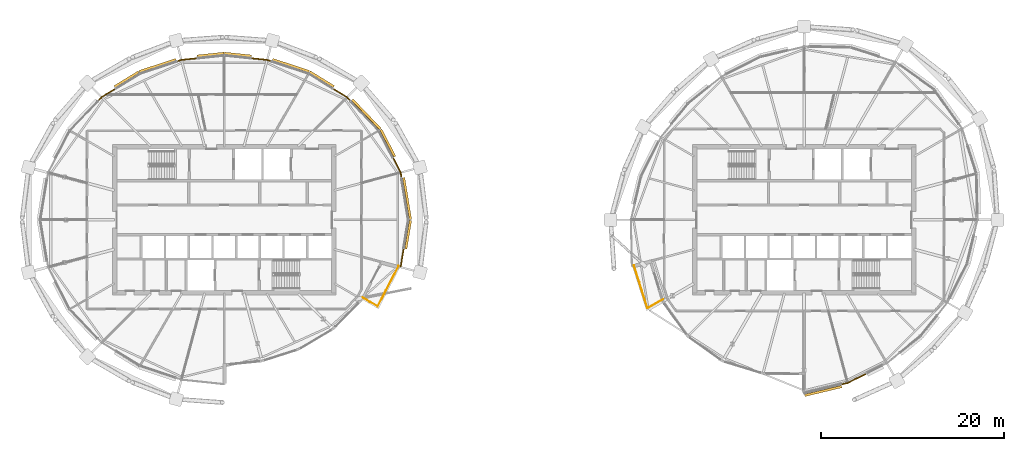
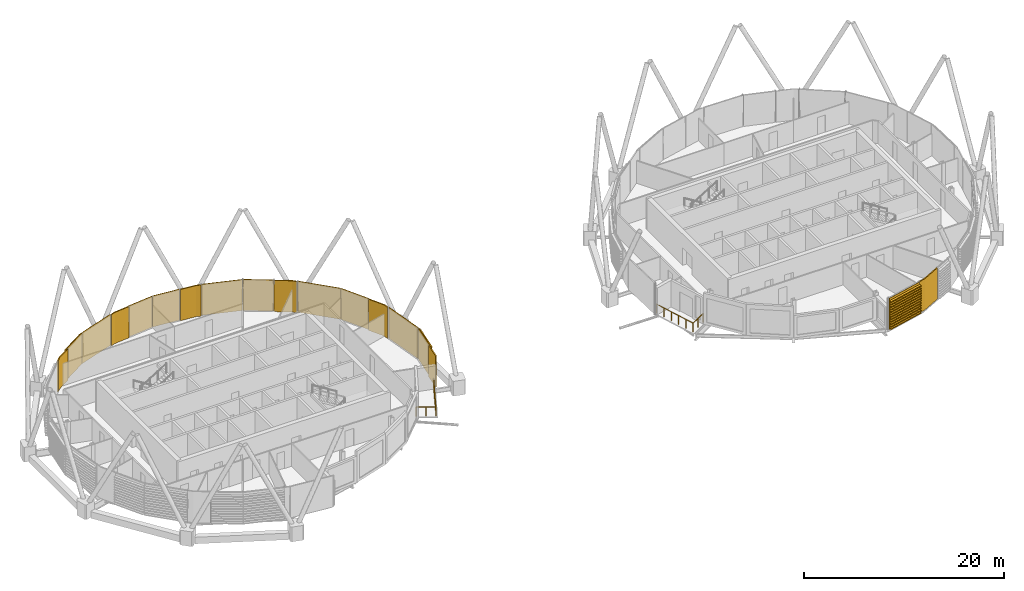
# One storey, part 28 of 31: 18 coverings, 2 railings.
"""IFC4 building model written with IfcOpenShell, lengths in metres."""

from ifc_helpers import new_model, si_unit, direction, frame, origin, origin_2d, place, context, subcontext, project, spatial, polyline, circle, outline, extrude, material, layer, layer_set, material_profile, profile_set, type_object, element, save


model = new_model("IFC4")

# Units and contexts
model_context = context("Model", 3, precision=1e-05, world=origin(), true_north=direction((0.0, 1.0)))
body_context = subcontext(model_context, "Body", "Model", "MODEL_VIEW")
ifc_project = project(units=[si_unit("LENGTHUNIT", "METRE"), si_unit("AREAUNIT", "SQUARE_METRE"), si_unit("VOLUMEUNIT", "CUBIC_METRE"), si_unit("PLANEANGLEUNIT", "RADIAN"), si_unit("MASSUNIT", "GRAM", prefix="KILO")], contexts=[model_context])

# Site, building, storey
site_placement = place(None, origin())
site = spatial("IfcSite", under=ifc_project, at=site_placement, CompositionType="ELEMENT")
building_placement = place(site_placement, origin())
building = spatial("IfcBuilding", under=site, at=building_placement, Name="Rimbun Link Towers", CompositionType="ELEMENT")
storey_placement = place(building_placement, frame((0.0, 0.0, 244.699951171875)))
storey = spatial("IfcBuildingStorey", under=building, at=storey_placement, Name="L60", CompositionType="ELEMENT", Elevation=244.699951171875)

# Railings
ifc_material_1 = material(Name="Stainless steel grade 316", Category="steel")
railing_type = type_object("IfcRailingType", Name="GUARD stainless rail and posts", PredefinedType="GUARDRAIL", material=ifc_material_1)
railing_1_placement = place(storey_placement, frame((-16.670166015625, -8.475341796875, 0.0)))
element("IfcRailing", 1, at=railing_1_placement, inside=storey, type_object=railing_type, Name="GUARD", PredefinedType="GUARDRAIL", context=body_context, shape_type="SweptSolid", body=[
    extrude(circle(Radius=0.02392578125, at=origin_2d()), frame((0.0, 0.0, 1.076171875), z_axis=(0.866007891078, -0.50003033167, 0.0), x_axis=(0.50003033167, 0.866007891078, 0.0)), (0.0, 0.0, 1.0), 1.99072265625),
    extrude(circle(Radius=0.02392578125, at=origin_2d()), frame((1.723876953125, -0.995361328125, 1.076171875), z_axis=(0.459563613105, 0.888144856152, 0.0), x_axis=(-0.888144856152, 0.459563613105, 0.0)), (0.0, 0.0, 1.0), 4.95654296875),
    extrude(circle(Radius=0.02099609375, at=origin_2d()), origin(), (0.0, 0.0, 1.0), 1.052001953125),
    extrude(circle(Radius=0.02099609375, at=origin_2d()), frame((0.86181640625, -0.49755859375, 0.0)), (0.0, 0.0, 1.0), 1.052001953125),
    extrude(circle(Radius=0.02099609375, at=origin_2d()), frame((1.723876953125, -0.995361328125, 0.0)), (0.0, 0.0, 1.0), 1.052001953125),
    extrude(circle(Radius=0.02099609375, at=origin_2d()), frame((2.179443359375, -0.114990234375, 0.0)), (0.0, 0.0, 1.0), 1.052001953125),
    extrude(circle(Radius=0.02099609375, at=origin_2d()), frame((2.635009765625, 0.765380859375, 0.0)), (0.0, 0.0, 1.0), 1.052001953125),
    extrude(circle(Radius=0.02099609375, at=origin_2d()), frame((3.090576171875, 1.64599609375, 0.0)), (0.0, 0.0, 1.0), 1.052001953125),
    extrude(circle(Radius=0.02099609375, at=origin_2d()), frame((3.546142578125, 2.5263671875, 0.0)), (0.0, 0.0, 1.0), 1.052001953125),
    extrude(circle(Radius=0.02099609375, at=origin_2d()), frame((4.001708984375, 3.40673828125, 0.0)), (0.0, 0.0, 1.0), 1.052001953125),
])
railing_2_placement = place(storey_placement, frame((13.107666015625, -4.985595703125, 0.0)))
element("IfcRailing", 2, at=railing_2_placement, inside=storey, type_object=railing_type, Name="GUARD", PredefinedType="GUARDRAIL", context=body_context, shape_type="SweptSolid", body=[
    extrude(circle(Radius=0.02392578125, at=origin_2d()), frame((0.0, 0.0, 1.076171875), z_axis=(0.303045862918, -0.952975972923, 0.0), x_axis=(0.952975972923, 0.303045862918, 0.0)), (0.0, 0.0, 1.0), 4.91748046875),
    extrude(circle(Radius=0.02392578125, at=origin_2d()), frame((1.490234375, -4.686279296875, 1.076171875), z_axis=(0.866025182435, 0.500000383388, 0.0), x_axis=(-0.500000383388, 0.866025182435, 0.0)), (0.0, 0.0, 1.0), 1.95166015625),
    extrude(circle(Radius=0.02099609375, at=origin_2d()), origin(), (0.0, 0.0, 1.0), 1.052001953125),
    extrude(circle(Radius=0.02099609375, at=origin_2d()), frame((0.298095703125, -0.937255859375, 0.0)), (0.0, 0.0, 1.0), 1.052001953125),
    extrude(circle(Radius=0.02099609375, at=origin_2d()), frame((0.59619140625, -1.87451171875, 0.0)), (0.0, 0.0, 1.0), 1.052001953125),
    extrude(circle(Radius=0.02099609375, at=origin_2d()), frame((0.89404296875, -2.811767578125, 0.0)), (0.0, 0.0, 1.0), 1.052001953125),
    extrude(circle(Radius=0.02099609375, at=origin_2d()), frame((1.192138671875, -3.7490234375, 0.0)), (0.0, 0.0, 1.0), 1.052001953125),
    extrude(circle(Radius=0.02099609375, at=origin_2d()), frame((1.490234375, -4.686279296875, 0.0)), (0.0, 0.0, 1.0), 1.052001953125),
    extrude(circle(Radius=0.02099609375, at=origin_2d()), frame((2.33544921875, -4.1982421875, 0.0)), (0.0, 0.0, 1.0), 1.052001953125),
    extrude(circle(Radius=0.02099609375, at=origin_2d()), frame((3.180419921875, -3.71044921875, 0.0)), (0.0, 0.0, 1.0), 1.052001953125),
])

# Coverings
ifc_material_2 = material(Name="Terracotta", Category="masonry")
ifc_layer = layer(ifc_material_2, 0.1201171875)
ifc_layer_set = layer_set([ifc_layer], Name="LINK PIER terracotta cladding 120")
covering_type_1 = type_object("IfcCoveringType", Name="LINK PIER terracotta cladding 120", PredefinedType="CLADDING", material=ifc_layer_set)
covering_1_placement = place(storey_placement, origin())
element("IfcCovering", 3, at=covering_1_placement, inside=storey, type_object=covering_type_1, Name="LINK PIER cladding", PredefinedType="CLADDING", context=body_context, shape_type="SweptSolid", body=[
    extrude(outline(polyline([(-13.327392578125, 6.77685546875), (-12.490966796875, 5.160400390625), (-12.3984375, 4.59814453125), (-12.280029296875, 4.617431640625), (-12.37548828125, 5.19873046875), (-13.220703125, 6.83203125), (-13.327392578125, 6.77685546875)])), origin(), (0.0, 0.0, 1.0), 3.800048828125),
])
covering_2_placement = place(storey_placement, origin())
element("IfcCovering", 4, at=covering_2_placement, inside=storey, type_object=covering_type_1, Name="LINK PIER cladding", PredefinedType="CLADDING", context=body_context, shape_type="SweptSolid", body=[
    extrude(outline(polyline([(-19.8662109375, 14.318115234375), (-18.35791015625, 13.39208984375), (-17.96337890625, 12.980712890625), (-17.876708984375, 13.063720703125), (-18.281982421875, 13.486328125), (-19.803466796875, 14.42041015625), (-19.8662109375, 14.318115234375)])), origin(), (0.0, 0.0, 1.0), 3.800048828125),
])
covering_3_placement = place(storey_placement, origin())
element("IfcCovering", 5, at=covering_3_placement, inside=storey, type_object=covering_type_1, Name="LINK PIER cladding", PredefinedType="CLADDING", context=body_context, shape_type="SweptSolid", body=[
    extrude(outline(polyline([(-28.781982421875, 17.640625), (-27.071533203125, 17.460693359375), (-26.577880859375, 17.297119140625), (-26.5400390625, 17.410888671875), (-27.046142578125, 17.57861328125), (-28.76953125, 17.760009765625), (-28.781982421875, 17.640625)])), origin(), (0.0, 0.0, 1.0), 3.800048828125),
])
covering_4_placement = place(storey_placement, origin())
element("IfcCovering", 6, at=covering_4_placement, inside=storey, type_object=covering_type_1, Name="LINK PIER cladding", PredefinedType="CLADDING", context=body_context, shape_type="SweptSolid", body=[
    extrude(outline(polyline([(-36.922119140625, 17.297119140625), (-36.428466796875, 17.460693359375), (-34.718017578125, 17.640625), (-34.73046875, 17.760009765625), (-36.453857421875, 17.57861328125), (-36.9599609375, 17.410888671875), (-36.922119140625, 17.297119140625)])), origin(), (0.0, 0.0, 1.0), 3.800048828125),
])
covering_5_placement = place(storey_placement, origin())
element("IfcCovering", 7, at=covering_5_placement, inside=storey, type_object=covering_type_1, Name="LINK PIER cladding", PredefinedType="CLADDING", context=body_context, shape_type="SweptSolid", body=[
    extrude(outline(polyline([(-45.53662109375, 12.980712890625), (-45.14208984375, 13.39208984375), (-43.6337890625, 14.318115234375), (-43.696533203125, 14.42041015625), (-45.218017578125, 13.486328125), (-45.623291015625, 13.063720703125), (-45.53662109375, 12.980712890625)])), origin(), (0.0, 0.0, 1.0), 3.800048828125),
])
covering_6_placement = place(storey_placement, origin())
element("IfcCovering", 8, at=covering_6_placement, inside=storey, type_object=covering_type_1, Name="LINK PIER cladding", PredefinedType="CLADDING", context=body_context, shape_type="SweptSolid", body=[
    extrude(outline(polyline([(-12.1630859375, -3.167236328125), (-12.486083984375, -5.130859375), (-12.36767578125, -5.150390625), (-12.044677734375, -3.186767578125), (-12.1630859375, -3.167236328125)])), origin(), (0.0, 0.0, 1.0), 3.800048828125),
])
covering_7_placement = place(storey_placement, origin())
element("IfcCovering", 9, at=covering_7_placement, inside=storey, type_object=covering_type_1, Name="LINK PIER cladding", PredefinedType="CLADDING", context=body_context, shape_type="SweptSolid", body=[
    extrude(outline(polyline([(38.547607421875, -16.77978515625), (36.51904296875, -17.798583984375), (35.81884765625, -17.966064453125), (35.8466796875, -18.082763671875), (36.560546875, -17.912109375), (38.6015625, -16.88720703125), (38.547607421875, -16.77978515625)])), origin(), (0.0, 0.0, 1.0), 3.800048828125),
])
ifc_material_3 = material(Name="Terracotta", Category="masonry")
ifc_material_profile = material_profile(ifc_material_3, outline(polyline([(0.123046875, 0.0), (0.1630859375, 0.0), (0.1630859375, 0.10009765625), (0.423095703125, 0.10009765625), (0.423095703125, 0.219970703125), (0.1630859375, 0.219970703125), (0.1630859375, 0.39990234375), (0.423095703125, 0.39990234375), (0.423095703125, 0.52001953125), (0.1630859375, 0.52001953125), (0.1630859375, 0.699951171875), (0.423095703125, 0.699951171875), (0.423095703125, 0.820068359375), (0.1630859375, 0.820068359375), (0.1630859375, 1.0), (0.423095703125, 1.0), (0.423095703125, 1.1201171875), (0.1630859375, 1.1201171875), (0.1630859375, 1.300048828125), (0.423095703125, 1.300048828125), (0.423095703125, 1.419921875), (0.1630859375, 1.419921875), (0.1630859375, 1.60009765625), (0.423095703125, 1.60009765625), (0.423095703125, 1.719970703125), (0.1630859375, 1.719970703125), (0.1630859375, 1.89990234375), (0.423095703125, 1.89990234375), (0.423095703125, 2.02001953125), (0.1630859375, 2.02001953125), (0.1630859375, 2.199951171875), (0.423095703125, 2.199951171875), (0.423095703125, 2.320068359375), (0.1630859375, 2.320068359375), (0.1630859375, 2.5), (0.423095703125, 2.5), (0.423095703125, 2.6201171875), (0.1630859375, 2.6201171875), (0.1630859375, 2.800048828125), (0.423095703125, 2.800048828125), (0.423095703125, 2.919921875), (0.1630859375, 2.919921875), (0.1630859375, 3.10009765625), (0.423095703125, 3.10009765625), (0.423095703125, 3.219970703125), (0.1630859375, 3.219970703125), (0.1630859375, 3.39990234375), (0.423095703125, 3.39990234375), (0.423095703125, 3.52001953125), (0.1630859375, 3.52001953125), (0.1630859375, 3.800048828125), (0.123046875, 3.800048828125), (0.123046875, 0.0)])), Name="BAGUETTE 120X300")
ifc_profile_set = profile_set([ifc_material_profile], Name="Terracotta")
covering_type_2 = type_object("IfcCoveringType", Name="TERRACOTTA BAGUETTE 120X300 H3800", PredefinedType="CLADDING", material=ifc_profile_set)
covering_8_placement = place(storey_placement, frame((-12.3935546875, 4.568359375, 0.0), z_axis=(0.162260759492, -0.986747914074, 0.0), x_axis=(0.986747914074, 0.162260759492, 0.0)))
element("IfcCovering", 10, at=covering_8_placement, inside=storey, type_object=covering_type_2, Name="TERRACOTTA BAGUETTE", PredefinedType="CLADDING", context=body_context, shape_type="SweptSolid", body=[
    extrude(outline(polyline([(0.123046875, 0.0), (0.1630859375, 0.0), (0.1630859375, 0.10009765625), (0.423095703125, 0.10009765625), (0.423095703125, 0.219970703125), (0.1630859375, 0.219970703125), (0.1630859375, 0.39990234375), (0.423095703125, 0.39990234375), (0.423095703125, 0.52001953125), (0.1630859375, 0.52001953125), (0.1630859375, 0.699951171875), (0.423095703125, 0.699951171875), (0.423095703125, 0.820068359375), (0.1630859375, 0.820068359375), (0.1630859375, 1.0), (0.423095703125, 1.0), (0.423095703125, 1.1201171875), (0.1630859375, 1.1201171875), (0.1630859375, 1.300048828125), (0.423095703125, 1.300048828125), (0.423095703125, 1.419921875), (0.1630859375, 1.419921875), (0.1630859375, 1.60009765625), (0.423095703125, 1.60009765625), (0.423095703125, 1.719970703125), (0.1630859375, 1.719970703125), (0.1630859375, 1.89990234375), (0.423095703125, 1.89990234375), (0.423095703125, 2.02001953125), (0.1630859375, 2.02001953125), (0.1630859375, 2.199951171875), (0.423095703125, 2.199951171875), (0.423095703125, 2.320068359375), (0.1630859375, 2.320068359375), (0.1630859375, 2.5), (0.423095703125, 2.5), (0.423095703125, 2.6201171875), (0.1630859375, 2.6201171875), (0.1630859375, 2.800048828125), (0.423095703125, 2.800048828125), (0.423095703125, 2.919921875), (0.1630859375, 2.919921875), (0.1630859375, 3.10009765625), (0.423095703125, 3.10009765625), (0.423095703125, 3.219970703125), (0.1630859375, 3.219970703125), (0.1630859375, 3.39990234375), (0.423095703125, 3.39990234375), (0.423095703125, 3.52001953125), (0.1630859375, 3.52001953125), (0.1630859375, 3.800048828125), (0.123046875, 3.800048828125), (0.123046875, 0.0)])), origin(), (0.0, 0.0, 1.0), 4.629638671875),
])
covering_9_placement = place(storey_placement, frame((-14.864990234375, 9.74853515625, 0.0), z_axis=(0.459569127247, -0.888142002881, 0.0), x_axis=(0.888142002881, 0.459569127247, 0.0)))
element("IfcCovering", 11, at=covering_9_placement, inside=storey, type_object=covering_type_2, Name="TERRACOTTA BAGUETTE", PredefinedType="CLADDING", context=body_context, shape_type="SweptSolid", body=[
    extrude(outline(polyline([(0.123046875, 0.0), (0.1630859375, 0.0), (0.1630859375, 0.10009765625), (0.423095703125, 0.10009765625), (0.423095703125, 0.219970703125), (0.1630859375, 0.219970703125), (0.1630859375, 0.39990234375), (0.423095703125, 0.39990234375), (0.423095703125, 0.52001953125), (0.1630859375, 0.52001953125), (0.1630859375, 0.699951171875), (0.423095703125, 0.699951171875), (0.423095703125, 0.820068359375), (0.1630859375, 0.820068359375), (0.1630859375, 1.0), (0.423095703125, 1.0), (0.423095703125, 1.1201171875), (0.1630859375, 1.1201171875), (0.1630859375, 1.300048828125), (0.423095703125, 1.300048828125), (0.423095703125, 1.419921875), (0.1630859375, 1.419921875), (0.1630859375, 1.60009765625), (0.423095703125, 1.60009765625), (0.423095703125, 1.719970703125), (0.1630859375, 1.719970703125), (0.1630859375, 1.89990234375), (0.423095703125, 1.89990234375), (0.423095703125, 2.02001953125), (0.1630859375, 2.02001953125), (0.1630859375, 2.199951171875), (0.423095703125, 2.199951171875), (0.423095703125, 2.320068359375), (0.1630859375, 2.320068359375), (0.1630859375, 2.5), (0.423095703125, 2.5), (0.423095703125, 2.6201171875), (0.1630859375, 2.6201171875), (0.1630859375, 2.800048828125), (0.423095703125, 2.800048828125), (0.423095703125, 2.919921875), (0.1630859375, 2.919921875), (0.1630859375, 3.10009765625), (0.423095703125, 3.10009765625), (0.423095703125, 3.219970703125), (0.1630859375, 3.219970703125), (0.1630859375, 3.39990234375), (0.423095703125, 3.39990234375), (0.423095703125, 3.52001953125), (0.1630859375, 3.52001953125), (0.1630859375, 3.800048828125), (0.123046875, 3.800048828125), (0.123046875, 0.0)])), origin(), (0.0, 0.0, 1.0), 3.31591796875),
])
covering_10_placement = place(storey_placement, frame((-17.942626953125, 12.958984375, 0.0), z_axis=(0.692017431912, -0.721880789279, 0.0), x_axis=(0.721880789279, 0.692017431912, 0.0)))
element("IfcCovering", 12, at=covering_10_placement, inside=storey, type_object=covering_type_2, Name="TERRACOTTA BAGUETTE", PredefinedType="CLADDING", context=body_context, shape_type="SweptSolid", body=[
    extrude(outline(polyline([(0.123046875, 0.0), (0.1630859375, 0.0), (0.1630859375, 0.10009765625), (0.423095703125, 0.10009765625), (0.423095703125, 0.219970703125), (0.1630859375, 0.219970703125), (0.1630859375, 0.39990234375), (0.423095703125, 0.39990234375), (0.423095703125, 0.52001953125), (0.1630859375, 0.52001953125), (0.1630859375, 0.699951171875), (0.423095703125, 0.699951171875), (0.423095703125, 0.820068359375), (0.1630859375, 0.820068359375), (0.1630859375, 1.0), (0.423095703125, 1.0), (0.423095703125, 1.1201171875), (0.1630859375, 1.1201171875), (0.1630859375, 1.300048828125), (0.423095703125, 1.300048828125), (0.423095703125, 1.419921875), (0.1630859375, 1.419921875), (0.1630859375, 1.60009765625), (0.423095703125, 1.60009765625), (0.423095703125, 1.719970703125), (0.1630859375, 1.719970703125), (0.1630859375, 1.89990234375), (0.423095703125, 1.89990234375), (0.423095703125, 2.02001953125), (0.1630859375, 2.02001953125), (0.1630859375, 2.199951171875), (0.423095703125, 2.199951171875), (0.423095703125, 2.320068359375), (0.1630859375, 2.320068359375), (0.1630859375, 2.5), (0.423095703125, 2.5), (0.423095703125, 2.6201171875), (0.1630859375, 2.6201171875), (0.1630859375, 2.800048828125), (0.423095703125, 2.800048828125), (0.423095703125, 2.919921875), (0.1630859375, 2.919921875), (0.1630859375, 3.10009765625), (0.423095703125, 3.10009765625), (0.423095703125, 3.219970703125), (0.1630859375, 3.219970703125), (0.1630859375, 3.39990234375), (0.423095703125, 3.39990234375), (0.423095703125, 3.52001953125), (0.1630859375, 3.52001953125), (0.1630859375, 3.800048828125), (0.123046875, 3.800048828125), (0.123046875, 0.0)])), origin(), (0.0, 0.0, 1.0), 4.447265625),
])
covering_11_placement = place(storey_placement, frame((-22.53662109375, 15.957763671875, 0.0), z_axis=(0.852200764088, -0.523214924947, 0.0), x_axis=(0.523214924947, 0.852200764088, 0.0)))
element("IfcCovering", 13, at=covering_11_placement, inside=storey, type_object=covering_type_2, Name="TERRACOTTA BAGUETTE", PredefinedType="CLADDING", context=body_context, shape_type="SweptSolid", body=[
    extrude(outline(polyline([(0.123046875, 0.0), (0.1630859375, 0.0), (0.1630859375, 0.10009765625), (0.423095703125, 0.10009765625), (0.423095703125, 0.219970703125), (0.1630859375, 0.219970703125), (0.1630859375, 0.39990234375), (0.423095703125, 0.39990234375), (0.423095703125, 0.52001953125), (0.1630859375, 0.52001953125), (0.1630859375, 0.699951171875), (0.423095703125, 0.699951171875), (0.423095703125, 0.820068359375), (0.1630859375, 0.820068359375), (0.1630859375, 1.0), (0.423095703125, 1.0), (0.423095703125, 1.1201171875), (0.1630859375, 1.1201171875), (0.1630859375, 1.300048828125), (0.423095703125, 1.300048828125), (0.423095703125, 1.419921875), (0.1630859375, 1.419921875), (0.1630859375, 1.60009765625), (0.423095703125, 1.60009765625), (0.423095703125, 1.719970703125), (0.1630859375, 1.719970703125), (0.1630859375, 1.89990234375), (0.423095703125, 1.89990234375), (0.423095703125, 2.02001953125), (0.1630859375, 2.02001953125), (0.1630859375, 2.199951171875), (0.423095703125, 2.199951171875), (0.423095703125, 2.320068359375), (0.1630859375, 2.320068359375), (0.1630859375, 2.5), (0.423095703125, 2.5), (0.423095703125, 2.6201171875), (0.1630859375, 2.6201171875), (0.1630859375, 2.800048828125), (0.423095703125, 2.800048828125), (0.423095703125, 2.919921875), (0.1630859375, 2.919921875), (0.1630859375, 3.10009765625), (0.423095703125, 3.10009765625), (0.423095703125, 3.219970703125), (0.1630859375, 3.219970703125), (0.1630859375, 3.39990234375), (0.423095703125, 3.39990234375), (0.423095703125, 3.52001953125), (0.1630859375, 3.52001953125), (0.1630859375, 3.800048828125), (0.123046875, 3.800048828125), (0.123046875, 0.0)])), origin(), (0.0, 0.0, 1.0), 3.103515625),
])
covering_12_placement = place(storey_placement, frame((-26.54931640625, 17.28759765625, 0.0), z_axis=(0.949230524958, -0.314581325715, 0.0), x_axis=(0.314581325715, 0.949230524958, 0.0)))
element("IfcCovering", 14, at=covering_12_placement, inside=storey, type_object=covering_type_2, Name="TERRACOTTA BAGUETTE", PredefinedType="CLADDING", context=body_context, shape_type="SweptSolid", body=[
    extrude(outline(polyline([(0.123046875, 0.0), (0.1630859375, 0.0), (0.1630859375, 0.10009765625), (0.423095703125, 0.10009765625), (0.423095703125, 0.219970703125), (0.1630859375, 0.219970703125), (0.1630859375, 0.39990234375), (0.423095703125, 0.39990234375), (0.423095703125, 0.52001953125), (0.1630859375, 0.52001953125), (0.1630859375, 0.699951171875), (0.423095703125, 0.699951171875), (0.423095703125, 0.820068359375), (0.1630859375, 0.820068359375), (0.1630859375, 1.0), (0.423095703125, 1.0), (0.423095703125, 1.1201171875), (0.1630859375, 1.1201171875), (0.1630859375, 1.300048828125), (0.423095703125, 1.300048828125), (0.423095703125, 1.419921875), (0.1630859375, 1.419921875), (0.1630859375, 1.60009765625), (0.423095703125, 1.60009765625), (0.423095703125, 1.719970703125), (0.1630859375, 1.719970703125), (0.1630859375, 1.89990234375), (0.423095703125, 1.89990234375), (0.423095703125, 2.02001953125), (0.1630859375, 2.02001953125), (0.1630859375, 2.199951171875), (0.423095703125, 2.199951171875), (0.423095703125, 2.320068359375), (0.1630859375, 2.320068359375), (0.1630859375, 2.5), (0.423095703125, 2.5), (0.423095703125, 2.6201171875), (0.1630859375, 2.6201171875), (0.1630859375, 2.800048828125), (0.423095703125, 2.800048828125), (0.423095703125, 2.919921875), (0.1630859375, 2.919921875), (0.1630859375, 3.10009765625), (0.423095703125, 3.10009765625), (0.423095703125, 3.219970703125), (0.1630859375, 3.219970703125), (0.1630859375, 3.39990234375), (0.423095703125, 3.39990234375), (0.423095703125, 3.52001953125), (0.1630859375, 3.52001953125), (0.1630859375, 3.800048828125), (0.123046875, 3.800048828125), (0.123046875, 0.0)])), origin(), (0.0, 0.0, 1.0), 4.227294921875),
])
for number, where, z_axis, x_axis, name in (
    (15, (-31.75, 17.953369140625, 0.0), (0.994495487107, -0.104779416506, 0.0), (0.104779416506, 0.994495487107, 0.0), "TERRACOTTA BAGUETTE"),
    (16, (-34.688232421875, 17.643798828125, 0.0), (0.994495487107, 0.104779416506, 0.0), (-0.104779416506, 0.994495487107, 0.0), "TERRACOTTA BAGUETTE"),
):
    element("IfcCovering", number, at=place(storey_placement, frame(where, z_axis=z_axis, x_axis=x_axis)), inside=storey, type_object=covering_type_2, Name=name, PredefinedType="CLADDING", context=body_context, shape_type="SweptSolid", body=[
        extrude(outline(polyline([(0.123046875, 0.0), (0.1630859375, 0.0), (0.1630859375, 0.10009765625), (0.423095703125, 0.10009765625), (0.423095703125, 0.219970703125), (0.1630859375, 0.219970703125), (0.1630859375, 0.39990234375), (0.423095703125, 0.39990234375), (0.423095703125, 0.52001953125), (0.1630859375, 0.52001953125), (0.1630859375, 0.699951171875), (0.423095703125, 0.699951171875), (0.423095703125, 0.820068359375), (0.1630859375, 0.820068359375), (0.1630859375, 1.0), (0.423095703125, 1.0), (0.423095703125, 1.1201171875), (0.1630859375, 1.1201171875), (0.1630859375, 1.300048828125), (0.423095703125, 1.300048828125), (0.423095703125, 1.419921875), (0.1630859375, 1.419921875), (0.1630859375, 1.60009765625), (0.423095703125, 1.60009765625), (0.423095703125, 1.719970703125), (0.1630859375, 1.719970703125), (0.1630859375, 1.89990234375), (0.423095703125, 1.89990234375), (0.423095703125, 2.02001953125), (0.1630859375, 2.02001953125), (0.1630859375, 2.199951171875), (0.423095703125, 2.199951171875), (0.423095703125, 2.320068359375), (0.1630859375, 2.320068359375), (0.1630859375, 2.5), (0.423095703125, 2.5), (0.423095703125, 2.6201171875), (0.1630859375, 2.6201171875), (0.1630859375, 2.800048828125), (0.423095703125, 2.800048828125), (0.423095703125, 2.919921875), (0.1630859375, 2.919921875), (0.1630859375, 3.10009765625), (0.423095703125, 3.10009765625), (0.423095703125, 3.219970703125), (0.1630859375, 3.219970703125), (0.1630859375, 3.39990234375), (0.423095703125, 3.39990234375), (0.423095703125, 3.52001953125), (0.1630859375, 3.52001953125), (0.1630859375, 3.800048828125), (0.123046875, 3.800048828125), (0.123046875, 0.0)])), origin(), (0.0, 0.0, 1.0), 2.95458984375),
    ])
covering_13_placement = place(storey_placement, frame((-40.96337890625, 15.957763671875, 0.0), z_axis=(0.949230524958, 0.314581325715, 0.0), x_axis=(-0.314581325715, 0.949230524958, 0.0)))
element("IfcCovering", 17, at=covering_13_placement, inside=storey, type_object=covering_type_2, Name="TERRACOTTA BAGUETTE", PredefinedType="CLADDING", context=body_context, shape_type="SweptSolid", body=[
    extrude(outline(polyline([(0.123046875, 0.0), (0.1630859375, 0.0), (0.1630859375, 0.10009765625), (0.423095703125, 0.10009765625), (0.423095703125, 0.219970703125), (0.1630859375, 0.219970703125), (0.1630859375, 0.39990234375), (0.423095703125, 0.39990234375), (0.423095703125, 0.52001953125), (0.1630859375, 0.52001953125), (0.1630859375, 0.699951171875), (0.423095703125, 0.699951171875), (0.423095703125, 0.820068359375), (0.1630859375, 0.820068359375), (0.1630859375, 1.0), (0.423095703125, 1.0), (0.423095703125, 1.1201171875), (0.1630859375, 1.1201171875), (0.1630859375, 1.300048828125), (0.423095703125, 1.300048828125), (0.423095703125, 1.419921875), (0.1630859375, 1.419921875), (0.1630859375, 1.60009765625), (0.423095703125, 1.60009765625), (0.423095703125, 1.719970703125), (0.1630859375, 1.719970703125), (0.1630859375, 1.89990234375), (0.423095703125, 1.89990234375), (0.423095703125, 2.02001953125), (0.1630859375, 2.02001953125), (0.1630859375, 2.199951171875), (0.423095703125, 2.199951171875), (0.423095703125, 2.320068359375), (0.1630859375, 2.320068359375), (0.1630859375, 2.5), (0.423095703125, 2.5), (0.423095703125, 2.6201171875), (0.1630859375, 2.6201171875), (0.1630859375, 2.800048828125), (0.423095703125, 2.800048828125), (0.423095703125, 2.919921875), (0.1630859375, 2.919921875), (0.1630859375, 3.10009765625), (0.423095703125, 3.10009765625), (0.423095703125, 3.219970703125), (0.1630859375, 3.219970703125), (0.1630859375, 3.39990234375), (0.423095703125, 3.39990234375), (0.423095703125, 3.52001953125), (0.1630859375, 3.52001953125), (0.1630859375, 3.800048828125), (0.123046875, 3.800048828125), (0.123046875, 0.0)])), origin(), (0.0, 0.0, 1.0), 4.227294921875),
])
covering_14_placement = place(storey_placement, frame((-43.608154296875, 14.333984375, 0.0), z_axis=(0.852200764088, 0.523214924947, 0.0), x_axis=(-0.523214924947, 0.852200764088, 0.0)))
element("IfcCovering", 18, at=covering_14_placement, inside=storey, type_object=covering_type_2, Name="TERRACOTTA BAGUETTE", PredefinedType="CLADDING", context=body_context, shape_type="SweptSolid", body=[
    extrude(outline(polyline([(0.123046875, 0.0), (0.1630859375, 0.0), (0.1630859375, 0.10009765625), (0.423095703125, 0.10009765625), (0.423095703125, 0.219970703125), (0.1630859375, 0.219970703125), (0.1630859375, 0.39990234375), (0.423095703125, 0.39990234375), (0.423095703125, 0.52001953125), (0.1630859375, 0.52001953125), (0.1630859375, 0.699951171875), (0.423095703125, 0.699951171875), (0.423095703125, 0.820068359375), (0.1630859375, 0.820068359375), (0.1630859375, 1.0), (0.423095703125, 1.0), (0.423095703125, 1.1201171875), (0.1630859375, 1.1201171875), (0.1630859375, 1.300048828125), (0.423095703125, 1.300048828125), (0.423095703125, 1.419921875), (0.1630859375, 1.419921875), (0.1630859375, 1.60009765625), (0.423095703125, 1.60009765625), (0.423095703125, 1.719970703125), (0.1630859375, 1.719970703125), (0.1630859375, 1.89990234375), (0.423095703125, 1.89990234375), (0.423095703125, 2.02001953125), (0.1630859375, 2.02001953125), (0.1630859375, 2.199951171875), (0.423095703125, 2.199951171875), (0.423095703125, 2.320068359375), (0.1630859375, 2.320068359375), (0.1630859375, 2.5), (0.423095703125, 2.5), (0.423095703125, 2.6201171875), (0.1630859375, 2.6201171875), (0.1630859375, 2.800048828125), (0.423095703125, 2.800048828125), (0.423095703125, 2.919921875), (0.1630859375, 2.919921875), (0.1630859375, 3.10009765625), (0.423095703125, 3.10009765625), (0.423095703125, 3.219970703125), (0.1630859375, 3.219970703125), (0.1630859375, 3.39990234375), (0.423095703125, 3.39990234375), (0.423095703125, 3.52001953125), (0.1630859375, 3.52001953125), (0.1630859375, 3.800048828125), (0.123046875, 3.800048828125), (0.123046875, 0.0)])), origin(), (0.0, 0.0, 1.0), 3.103515625),
])
covering_15_placement = place(storey_placement, frame((-11.642333984375, 0.0, 0.0), z_axis=(-0.162232202308, -0.986752609591, 0.0), x_axis=(0.986752609591, -0.162232202308, 0.0)))
element("IfcCovering", 19, at=covering_15_placement, inside=storey, type_object=covering_type_2, Name="TERRACOTTA BAGUETTE", PredefinedType="CLADDING", context=body_context, shape_type="SweptSolid", body=[
    extrude(outline(polyline([(0.123046875, 0.0), (0.1630859375, 0.0), (0.1630859375, 0.10009765625), (0.423095703125, 0.10009765625), (0.423095703125, 0.219970703125), (0.1630859375, 0.219970703125), (0.1630859375, 0.39990234375), (0.423095703125, 0.39990234375), (0.423095703125, 0.52001953125), (0.1630859375, 0.52001953125), (0.1630859375, 0.699951171875), (0.423095703125, 0.699951171875), (0.423095703125, 0.820068359375), (0.1630859375, 0.820068359375), (0.1630859375, 1.0), (0.423095703125, 1.0), (0.423095703125, 1.1201171875), (0.1630859375, 1.1201171875), (0.1630859375, 1.300048828125), (0.423095703125, 1.300048828125), (0.423095703125, 1.419921875), (0.1630859375, 1.419921875), (0.1630859375, 1.60009765625), (0.423095703125, 1.60009765625), (0.423095703125, 1.719970703125), (0.1630859375, 1.719970703125), (0.1630859375, 1.89990234375), (0.423095703125, 1.89990234375), (0.423095703125, 2.02001953125), (0.1630859375, 2.02001953125), (0.1630859375, 2.199951171875), (0.423095703125, 2.199951171875), (0.423095703125, 2.320068359375), (0.1630859375, 2.320068359375), (0.1630859375, 2.5), (0.423095703125, 2.5), (0.423095703125, 2.6201171875), (0.1630859375, 2.6201171875), (0.1630859375, 2.800048828125), (0.423095703125, 2.800048828125), (0.423095703125, 2.919921875), (0.1630859375, 2.919921875), (0.1630859375, 3.10009765625), (0.423095703125, 3.10009765625), (0.423095703125, 3.219970703125), (0.1630859375, 3.219970703125), (0.1630859375, 3.39990234375), (0.423095703125, 3.39990234375), (0.423095703125, 3.52001953125), (0.1630859375, 3.52001953125), (0.1630859375, 3.800048828125), (0.123046875, 3.800048828125), (0.123046875, 0.0)])), origin(), (0.0, 0.0, 1.0), 3.179931640625),
])
covering_16_placement = place(storey_placement, frame((35.78955078125, -17.97314453125, 0.0), z_axis=(-0.972574266838, -0.232592552513, 0.0), x_axis=(0.232592552513, -0.972574266838, 0.0)))
element("IfcCovering", 20, at=covering_16_placement, inside=storey, type_object=covering_type_2, Name="TERRACOTTA BAGUETTE", PredefinedType="CLADDING", context=body_context, shape_type="SweptSolid", body=[
    extrude(outline(polyline([(0.123046875, 0.0), (0.1630859375, 0.0), (0.1630859375, 0.10009765625), (0.423095703125, 0.10009765625), (0.423095703125, 0.219970703125), (0.1630859375, 0.219970703125), (0.1630859375, 0.39990234375), (0.423095703125, 0.39990234375), (0.423095703125, 0.52001953125), (0.1630859375, 0.52001953125), (0.1630859375, 0.699951171875), (0.423095703125, 0.699951171875), (0.423095703125, 0.820068359375), (0.1630859375, 0.820068359375), (0.1630859375, 1.0), (0.423095703125, 1.0), (0.423095703125, 1.1201171875), (0.1630859375, 1.1201171875), (0.1630859375, 1.300048828125), (0.423095703125, 1.300048828125), (0.423095703125, 1.419921875), (0.1630859375, 1.419921875), (0.1630859375, 1.60009765625), (0.423095703125, 1.60009765625), (0.423095703125, 1.719970703125), (0.1630859375, 1.719970703125), (0.1630859375, 1.89990234375), (0.423095703125, 1.89990234375), (0.423095703125, 2.02001953125), (0.1630859375, 2.02001953125), (0.1630859375, 2.199951171875), (0.423095703125, 2.199951171875), (0.423095703125, 2.320068359375), (0.1630859375, 2.320068359375), (0.1630859375, 2.5), (0.423095703125, 2.5), (0.423095703125, 2.6201171875), (0.1630859375, 2.6201171875), (0.1630859375, 2.800048828125), (0.423095703125, 2.800048828125), (0.423095703125, 2.919921875), (0.1630859375, 2.919921875), (0.1630859375, 3.10009765625), (0.423095703125, 3.10009765625), (0.423095703125, 3.219970703125), (0.1630859375, 3.219970703125), (0.1630859375, 3.39990234375), (0.423095703125, 3.39990234375), (0.423095703125, 3.52001953125), (0.1630859375, 3.52001953125), (0.1630859375, 3.800048828125), (0.123046875, 3.800048828125), (0.123046875, 0.0)])), origin(), (0.0, 0.0, 1.0), 4.153564453125),
])

save(model, "model.ifc")
